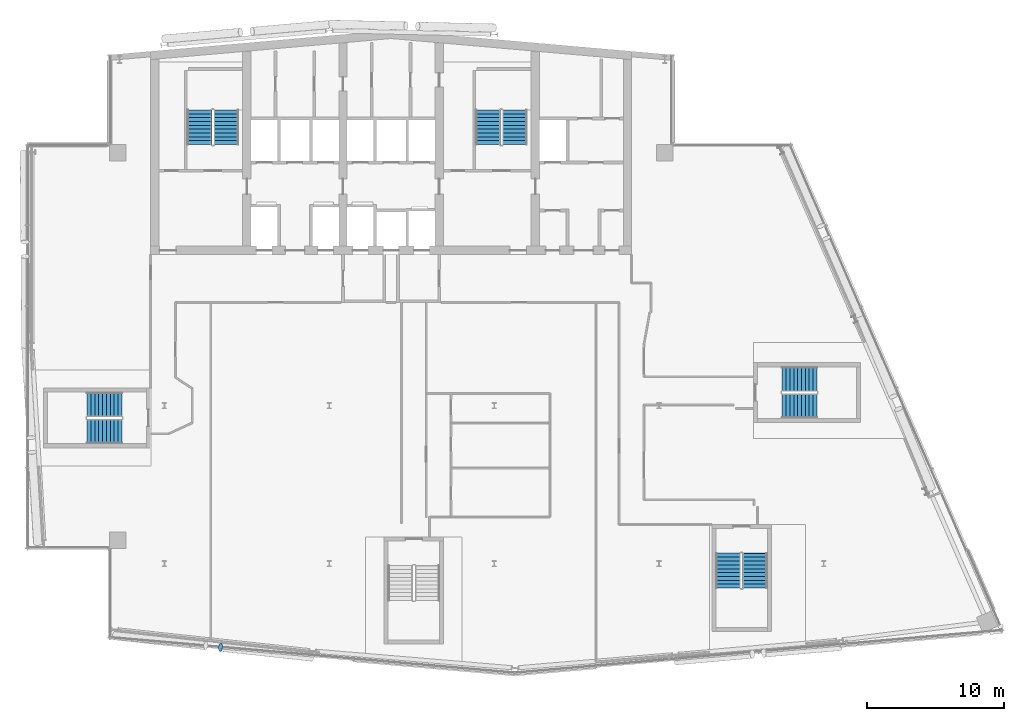
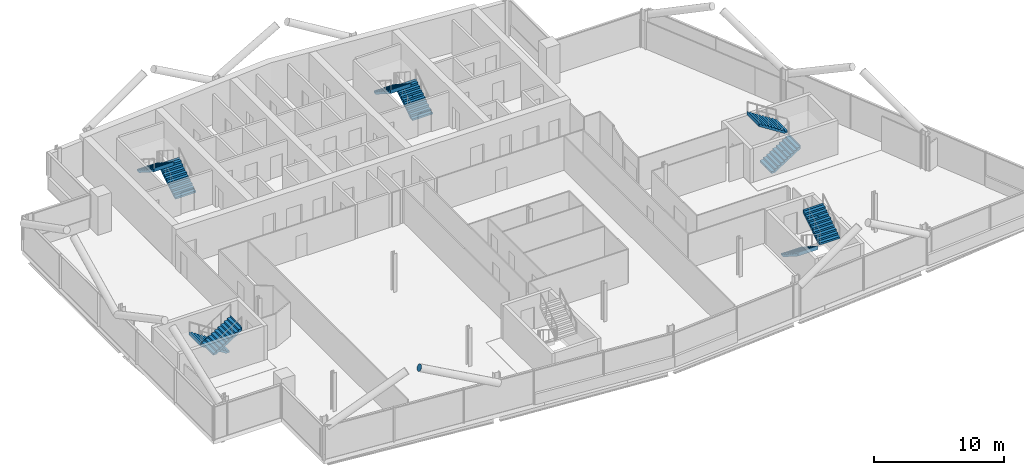
# One storey, part 19 of 25: 10 stair flights, 1 discrete accessory, 5 elements without a shape of their own.
"""IFC4 building model written with IfcOpenShell, lengths in metres."""

from ifc_helpers import new_model, si_unit, direction, frame, origin, origin_2d, place, context, subcontext, project, spatial, polyline, circle, outline, extrude, material, material_profile, profile_set, type_object, element, aggregate, save


model = new_model("IFC4")

# Units and contexts
model_context = context("Model", 3, precision=1e-05, world=origin(), true_north=direction((0.0, 1.0)))
body_context = subcontext(model_context, "Body", "Model", "MODEL_VIEW")
ifc_project = project(units=[si_unit("LENGTHUNIT", "METRE"), si_unit("AREAUNIT", "SQUARE_METRE"), si_unit("VOLUMEUNIT", "CUBIC_METRE"), si_unit("PLANEANGLEUNIT", "RADIAN"), si_unit("MASSUNIT", "GRAM", prefix="KILO")], contexts=[model_context])

# Site, building, storey
site_placement = place(None, origin())
site = spatial("IfcSite", under=ifc_project, at=site_placement, CompositionType="ELEMENT")
building_placement = place(site_placement, origin())
building = spatial("IfcBuilding", under=site, at=building_placement, Name="Wharfspan Tower", CompositionType="ELEMENT")
storey_placement = place(building_placement, frame((0.0, 0.0, 239.5)))
storey = spatial("IfcBuildingStorey", under=building, at=storey_placement, Name="L60", CompositionType="ELEMENT", Elevation=239.5)

# Stair, stair flights
ifc_material_1 = material(Name="Concrete C40/50", Category="concrete")
stair_type = type_object("IfcStairType", Name="Half-turn stair 20 risers 180 mm", PredefinedType="HALF_TURN_STAIR", material=ifc_material_1)
stair_1_placement = place(storey_placement, origin())
stair_1 = element("IfcStair", 1, at=stair_1_placement, inside=storey, type_object=stair_type, Name="L60 stair ST1", PredefinedType="HALF_TURN_STAIR")
stair_flight_type = type_object("IfcStairFlightType", Name="Stair flight 20 risers 180 mm", PredefinedType="STRAIGHT", material=ifc_material_1)
stair_flight_1_placement = place(storey_placement, frame((28.5, 42.0, 0.0), z_axis=(0.0, 0.0, 1.0), x_axis=(0.0, 1.0, 0.0)))
stair_flight_1 = element("IfcStairFlight", 2, at=stair_flight_1_placement, type_object=stair_flight_type, Name="ST1 flight 1", NumberOfRisers=10, NumberOfTreads=9, PredefinedType="STRAIGHT", RiserHeight=0.18, TreadLength=0.28, context=body_context, shape_type="SweptSolid", body=[
    extrude(outline(polyline([(-0.011963, 0.0), (-0.011963, 0.179932), (0.0, 0.179932), (0.280029, 0.179932), (0.280029, 0.360107), (0.560059, 0.360107), (0.560059, 0.540039), (0.840088, 0.540039), (0.840088, 0.719971), (1.120117, 0.719971), (1.120117, 0.899902), (1.399902, 0.899902), (1.399902, 1.080078), (1.679932, 1.080078), (1.679932, 1.26001), (1.959961, 1.26001), (1.959961, 1.439941), (2.23999, 1.439941), (2.23999, 1.620117), (2.52002, 1.620117), (2.531982, 1.800049), (2.531982, 1.441895), (0.2771, 0.0), (-0.011963, 0.0)])), frame((0.0, 0.899902, 0.0), z_axis=(0.0, -1.0, 0.0), x_axis=(1.0, 0.0, 0.0)), (0.0, 0.0, 1.0), 0.899414),
    extrude(outline(polyline([(-0.011963, 0.0), (-0.011963, 0.179932), (0.0, 0.179932), (0.280029, 0.179932), (0.280029, 0.360107), (0.560059, 0.360107), (0.560059, 0.540039), (0.840088, 0.540039), (0.840088, 0.719971), (1.120117, 0.719971), (1.120117, 0.899902), (1.399902, 0.899902), (1.399902, 1.080078), (1.679932, 1.080078), (1.679932, 1.26001), (1.959961, 1.26001), (1.959961, 1.439941), (2.23999, 1.439941), (2.23999, 1.620117), (2.52002, 1.620117), (2.531982, 1.800049), (2.531982, 1.441895), (0.2771, 0.0), (-0.011963, 0.0)])), frame((0.0, -0.000488, 0.0), z_axis=(0.0, -1.0, 0.0), x_axis=(1.0, 0.0, 0.0)), (0.0, 0.0, 1.0), 0.899414),
])
stair_flight_2_placement = place(storey_placement, frame((26.550049, 44.52002, 1.800049), z_axis=(0.0, 0.0, 1.0), x_axis=(0.0, -1.0, 0.0)))
stair_flight_2 = element("IfcStairFlight", 3, at=stair_flight_2_placement, type_object=stair_flight_type, Name="ST1 flight 2", NumberOfRisers=10, NumberOfTreads=9, PredefinedType="STRAIGHT", RiserHeight=0.18, TreadLength=0.28, context=body_context, shape_type="SweptSolid", body=[
    extrude(outline(polyline([(-0.011963, 0.0), (-0.011963, 0.179932), (0.0, 0.179932), (0.280029, 0.179932), (0.280029, 0.360107), (0.560059, 0.360107), (0.560059, 0.540039), (0.840088, 0.540039), (0.840088, 0.719971), (1.120117, 0.719971), (1.120117, 0.899902), (1.399902, 0.899902), (1.399902, 1.080078), (1.679932, 1.080078), (1.679932, 1.26001), (1.959961, 1.26001), (1.959961, 1.439941), (2.23999, 1.439941), (2.23999, 1.620117), (2.52002, 1.620117), (2.531982, 1.800049), (2.531982, 1.441895), (0.2771, 0.0), (-0.011963, 0.0)])), frame((0.0, 0.899902, 0.0), z_axis=(0.0, -1.0, 0.0), x_axis=(1.0, 0.0, 0.0)), (0.0, 0.0, 1.0), 0.899414),
    extrude(outline(polyline([(-0.011963, 0.0), (-0.011963, 0.179932), (0.0, 0.179932), (0.280029, 0.179932), (0.280029, 0.360107), (0.560059, 0.360107), (0.560059, 0.540039), (0.840088, 0.540039), (0.840088, 0.719971), (1.120117, 0.719971), (1.120117, 0.899902), (1.399902, 0.899902), (1.399902, 1.080078), (1.679932, 1.080078), (1.679932, 1.26001), (1.959961, 1.26001), (1.959961, 1.439941), (2.23999, 1.439941), (2.23999, 1.620117), (2.52002, 1.620117), (2.531982, 1.800049), (2.531982, 1.441895), (0.2771, 0.0), (-0.011963, 0.0)])), frame((0.0, -0.000488, 0.0), z_axis=(0.0, -1.0, 0.0), x_axis=(1.0, 0.0, 0.0)), (0.0, 0.0, 1.0), 0.899414),
])
aggregate(stair_1, [stair_flight_1, stair_flight_2])

stair_2_placement = place(storey_placement, origin())
stair_2 = element("IfcStair", 4, at=stair_2_placement, inside=storey, type_object=stair_type, Name="L60 stair ST2", PredefinedType="HALF_TURN_STAIR")
stair_flight_3_placement = place(storey_placement, frame((49.5, 42.0, 0.0), z_axis=(0.0, 0.0, 1.0), x_axis=(0.0, 1.0, 0.0)))
stair_flight_3 = element("IfcStairFlight", 5, at=stair_flight_3_placement, type_object=stair_flight_type, Name="ST2 flight 1", NumberOfRisers=10, NumberOfTreads=9, PredefinedType="STRAIGHT", RiserHeight=0.18, TreadLength=0.28, context=body_context, shape_type="SweptSolid", body=[
    extrude(outline(polyline([(-0.011963, 0.0), (-0.011963, 0.179932), (0.0, 0.179932), (0.280029, 0.179932), (0.280029, 0.360107), (0.560059, 0.360107), (0.560059, 0.540039), (0.840088, 0.540039), (0.840088, 0.719971), (1.120117, 0.719971), (1.120117, 0.899902), (1.399902, 0.899902), (1.399902, 1.080078), (1.679932, 1.080078), (1.679932, 1.26001), (1.959961, 1.26001), (1.959961, 1.439941), (2.23999, 1.439941), (2.23999, 1.620117), (2.52002, 1.620117), (2.531982, 1.800049), (2.531982, 1.441895), (0.2771, 0.0), (-0.011963, 0.0)])), frame((0.0, 0.899902, 0.0), z_axis=(0.0, -1.0, 0.0), x_axis=(1.0, 0.0, 0.0)), (0.0, 0.0, 1.0), 0.899414),
    extrude(outline(polyline([(-0.011963, 0.0), (-0.011963, 0.179932), (0.0, 0.179932), (0.280029, 0.179932), (0.280029, 0.360107), (0.560059, 0.360107), (0.560059, 0.540039), (0.840088, 0.540039), (0.840088, 0.719971), (1.120117, 0.719971), (1.120117, 0.899902), (1.399902, 0.899902), (1.399902, 1.080078), (1.679932, 1.080078), (1.679932, 1.26001), (1.959961, 1.26001), (1.959961, 1.439941), (2.23999, 1.439941), (2.23999, 1.620117), (2.52002, 1.620117), (2.531982, 1.800049), (2.531982, 1.441895), (0.2771, 0.0), (-0.011963, 0.0)])), frame((0.0, -0.000488, 0.0), z_axis=(0.0, -1.0, 0.0), x_axis=(1.0, 0.0, 0.0)), (0.0, 0.0, 1.0), 0.899414),
])
stair_flight_4_placement = place(storey_placement, frame((47.550049, 44.52002, 1.800049), z_axis=(0.0, 0.0, 1.0), x_axis=(0.0, -1.0, 0.0)))
stair_flight_4 = element("IfcStairFlight", 6, at=stair_flight_4_placement, type_object=stair_flight_type, Name="ST2 flight 2", NumberOfRisers=10, NumberOfTreads=9, PredefinedType="STRAIGHT", RiserHeight=0.18, TreadLength=0.28, context=body_context, shape_type="SweptSolid", body=[
    extrude(outline(polyline([(-0.011963, 0.0), (-0.011963, 0.179932), (0.0, 0.179932), (0.280029, 0.179932), (0.280029, 0.360107), (0.560059, 0.360107), (0.560059, 0.540039), (0.840088, 0.540039), (0.840088, 0.719971), (1.120117, 0.719971), (1.120117, 0.899902), (1.399902, 0.899902), (1.399902, 1.080078), (1.679932, 1.080078), (1.679932, 1.26001), (1.959961, 1.26001), (1.959961, 1.439941), (2.23999, 1.439941), (2.23999, 1.620117), (2.52002, 1.620117), (2.531982, 1.800049), (2.531982, 1.441895), (0.2771, 0.0), (-0.011963, 0.0)])), frame((0.0, 0.899902, 0.0), z_axis=(0.0, -1.0, 0.0), x_axis=(1.0, 0.0, 0.0)), (0.0, 0.0, 1.0), 0.899414),
    extrude(outline(polyline([(-0.011963, 0.0), (-0.011963, 0.179932), (0.0, 0.179932), (0.280029, 0.179932), (0.280029, 0.360107), (0.560059, 0.360107), (0.560059, 0.540039), (0.840088, 0.540039), (0.840088, 0.719971), (1.120117, 0.719971), (1.120117, 0.899902), (1.399902, 0.899902), (1.399902, 1.080078), (1.679932, 1.080078), (1.679932, 1.26001), (1.959961, 1.26001), (1.959961, 1.439941), (2.23999, 1.439941), (2.23999, 1.620117), (2.52002, 1.620117), (2.531982, 1.800049), (2.531982, 1.441895), (0.2771, 0.0), (-0.011963, 0.0)])), frame((0.0, -0.000488, 0.0), z_axis=(0.0, -1.0, 0.0), x_axis=(1.0, 0.0, 0.0)), (0.0, 0.0, 1.0), 0.899414),
])
aggregate(stair_2, [stair_flight_3, stair_flight_4])

stair_3_placement = place(storey_placement, origin())
stair_3 = element("IfcStair", 7, at=stair_3_placement, inside=storey, type_object=stair_type, Name="L60 stair ST3", PredefinedType="HALF_TURN_STAIR")
stair_flight_5_placement = place(storey_placement, frame((20.899902, 23.074951, 0.0), z_axis=(0.0, 0.0, 1.0), x_axis=(-1.0, 0.0, 0.0)))
stair_flight_5 = element("IfcStairFlight", 8, at=stair_flight_5_placement, type_object=stair_flight_type, Name="ST3 flight 1", NumberOfRisers=10, NumberOfTreads=9, PredefinedType="STRAIGHT", RiserHeight=0.18, TreadLength=0.28, context=body_context, shape_type="SweptSolid", body=[
    extrude(outline(polyline([(-0.011963, 0.0), (-0.011963, 0.179932), (0.0, 0.179932), (0.280029, 0.179932), (0.280029, 0.360107), (0.560059, 0.360107), (0.560059, 0.540039), (0.840088, 0.540039), (0.840088, 0.719971), (1.120117, 0.719971), (1.120117, 0.899902), (1.399902, 0.899902), (1.399902, 1.080078), (1.679932, 1.080078), (1.679932, 1.26001), (1.959961, 1.26001), (1.959961, 1.439941), (2.23999, 1.439941), (2.23999, 1.620117), (2.52002, 1.620117), (2.531982, 1.800049), (2.531982, 1.441895), (0.2771, 0.0), (-0.011963, 0.0)])), frame((0.0, 0.899902, 0.0), z_axis=(0.0, -1.0, 0.0), x_axis=(1.0, 0.0, 0.0)), (0.0, 0.0, 1.0), 0.899414),
    extrude(outline(polyline([(-0.011963, 0.0), (-0.011963, 0.179932), (0.0, 0.179932), (0.280029, 0.179932), (0.280029, 0.360107), (0.560059, 0.360107), (0.560059, 0.540039), (0.840088, 0.540039), (0.840088, 0.719971), (1.120117, 0.719971), (1.120117, 0.899902), (1.399902, 0.899902), (1.399902, 1.080078), (1.679932, 1.080078), (1.679932, 1.26001), (1.959961, 1.26001), (1.959961, 1.439941), (2.23999, 1.439941), (2.23999, 1.620117), (2.52002, 1.620117), (2.531982, 1.800049), (2.531982, 1.441895), (0.2771, 0.0), (-0.011963, 0.0)])), frame((0.0, -0.000488, 0.0), z_axis=(0.0, -1.0, 0.0), x_axis=(1.0, 0.0, 0.0)), (0.0, 0.0, 1.0), 0.899414),
])
stair_flight_6_placement = place(storey_placement, frame((18.379883, 21.125, 1.800049), z_axis=(0.0, 0.0, 1.0), x_axis=(1.0, 0.0, 0.0)))
stair_flight_6 = element("IfcStairFlight", 9, at=stair_flight_6_placement, type_object=stair_flight_type, Name="ST3 flight 2", NumberOfRisers=10, NumberOfTreads=9, PredefinedType="STRAIGHT", RiserHeight=0.18, TreadLength=0.28, context=body_context, shape_type="SweptSolid", body=[
    extrude(outline(polyline([(-0.011963, 0.0), (-0.011963, 0.179932), (0.0, 0.179932), (0.280029, 0.179932), (0.280029, 0.360107), (0.560059, 0.360107), (0.560059, 0.540039), (0.840088, 0.540039), (0.840088, 0.719971), (1.120117, 0.719971), (1.120117, 0.899902), (1.399902, 0.899902), (1.399902, 1.080078), (1.679932, 1.080078), (1.679932, 1.26001), (1.959961, 1.26001), (1.959961, 1.439941), (2.23999, 1.439941), (2.23999, 1.620117), (2.52002, 1.620117), (2.531982, 1.800049), (2.531982, 1.441895), (0.2771, 0.0), (-0.011963, 0.0)])), frame((0.0, 0.899902, 0.0), z_axis=(0.0, -1.0, 0.0), x_axis=(1.0, 0.0, 0.0)), (0.0, 0.0, 1.0), 0.899414),
    extrude(outline(polyline([(-0.011963, 0.0), (-0.011963, 0.179932), (0.0, 0.179932), (0.280029, 0.179932), (0.280029, 0.360107), (0.560059, 0.360107), (0.560059, 0.540039), (0.840088, 0.540039), (0.840088, 0.719971), (1.120117, 0.719971), (1.120117, 0.899902), (1.399902, 0.899902), (1.399902, 1.080078), (1.679932, 1.080078), (1.679932, 1.26001), (1.959961, 1.26001), (1.959961, 1.439941), (2.23999, 1.439941), (2.23999, 1.620117), (2.52002, 1.620117), (2.531982, 1.800049), (2.531982, 1.441895), (0.2771, 0.0), (-0.011963, 0.0)])), frame((0.0, -0.000488, 0.0), z_axis=(0.0, -1.0, 0.0), x_axis=(1.0, 0.0, 0.0)), (0.0, 0.0, 1.0), 0.899414),
])
aggregate(stair_3, [stair_flight_5, stair_flight_6])

stair_4_placement = place(storey_placement, origin())
stair_4 = element("IfcStair", 10, at=stair_4_placement, inside=storey, type_object=stair_type, Name="L60 stair ST5", PredefinedType="HALF_TURN_STAIR")
stair_flight_7_placement = place(storey_placement, frame((65.043701, 12.246094, 0.0), z_axis=(0.0, 0.0, 1.0), x_axis=(0.0, -1.0, 0.0)))
stair_flight_7 = element("IfcStairFlight", 11, at=stair_flight_7_placement, type_object=stair_flight_type, Name="ST5 flight 1", NumberOfRisers=10, NumberOfTreads=9, PredefinedType="STRAIGHT", RiserHeight=0.18, TreadLength=0.28, context=body_context, shape_type="SweptSolid", body=[
    extrude(outline(polyline([(-0.011963, 0.0), (-0.011963, 0.179932), (0.0, 0.179932), (0.280029, 0.179932), (0.280029, 0.360107), (0.560059, 0.360107), (0.560059, 0.540039), (0.840088, 0.540039), (0.840088, 0.719971), (1.120117, 0.719971), (1.120117, 0.899902), (1.399902, 0.899902), (1.399902, 1.080078), (1.679932, 1.080078), (1.679932, 1.26001), (1.959961, 1.26001), (1.959961, 1.439941), (2.23999, 1.439941), (2.23999, 1.620117), (2.52002, 1.620117), (2.531982, 1.800049), (2.531982, 1.441895), (0.2771, 0.0), (-0.011963, 0.0)])), frame((0.0, 0.899902, 0.0), z_axis=(0.0, -1.0, 0.0), x_axis=(1.0, 0.0, 0.0)), (0.0, 0.0, 1.0), 0.899414),
    extrude(outline(polyline([(-0.011963, 0.0), (-0.011963, 0.179932), (0.0, 0.179932), (0.280029, 0.179932), (0.280029, 0.360107), (0.560059, 0.360107), (0.560059, 0.540039), (0.840088, 0.540039), (0.840088, 0.719971), (1.120117, 0.719971), (1.120117, 0.899902), (1.399902, 0.899902), (1.399902, 1.080078), (1.679932, 1.080078), (1.679932, 1.26001), (1.959961, 1.26001), (1.959961, 1.439941), (2.23999, 1.439941), (2.23999, 1.620117), (2.52002, 1.620117), (2.531982, 1.800049), (2.531982, 1.441895), (0.2771, 0.0), (-0.011963, 0.0)])), frame((0.0, -0.000488, 0.0), z_axis=(0.0, -1.0, 0.0), x_axis=(1.0, 0.0, 0.0)), (0.0, 0.0, 1.0), 0.899414),
])
stair_flight_8_placement = place(storey_placement, frame((66.993896, 9.726074, 1.800049), z_axis=(0.0, 0.0, 1.0), x_axis=(0.0, 1.0, 0.0)))
stair_flight_8 = element("IfcStairFlight", 12, at=stair_flight_8_placement, type_object=stair_flight_type, Name="ST5 flight 2", NumberOfRisers=10, NumberOfTreads=9, PredefinedType="STRAIGHT", RiserHeight=0.18, TreadLength=0.28, context=body_context, shape_type="SweptSolid", body=[
    extrude(outline(polyline([(-0.011963, 0.0), (-0.011963, 0.179932), (0.0, 0.179932), (0.280029, 0.179932), (0.280029, 0.360107), (0.560059, 0.360107), (0.560059, 0.540039), (0.840088, 0.540039), (0.840088, 0.719971), (1.120117, 0.719971), (1.120117, 0.899902), (1.399902, 0.899902), (1.399902, 1.080078), (1.679932, 1.080078), (1.679932, 1.26001), (1.959961, 1.26001), (1.959961, 1.439941), (2.23999, 1.439941), (2.23999, 1.620117), (2.52002, 1.620117), (2.531982, 1.800049), (2.531982, 1.441895), (0.2771, 0.0), (-0.011963, 0.0)])), frame((0.0, 0.899902, 0.0), z_axis=(0.0, -1.0, 0.0), x_axis=(1.0, 0.0, 0.0)), (0.0, 0.0, 1.0), 0.899414),
    extrude(outline(polyline([(-0.011963, 0.0), (-0.011963, 0.179932), (0.0, 0.179932), (0.280029, 0.179932), (0.280029, 0.360107), (0.560059, 0.360107), (0.560059, 0.540039), (0.840088, 0.540039), (0.840088, 0.719971), (1.120117, 0.719971), (1.120117, 0.899902), (1.399902, 0.899902), (1.399902, 1.080078), (1.679932, 1.080078), (1.679932, 1.26001), (1.959961, 1.26001), (1.959961, 1.439941), (2.23999, 1.439941), (2.23999, 1.620117), (2.52002, 1.620117), (2.531982, 1.800049), (2.531982, 1.441895), (0.2771, 0.0), (-0.011963, 0.0)])), frame((0.0, -0.000488, 0.0), z_axis=(0.0, -1.0, 0.0), x_axis=(1.0, 0.0, 0.0)), (0.0, 0.0, 1.0), 0.899414),
])
aggregate(stair_4, [stair_flight_7, stair_flight_8])

stair_5_placement = place(storey_placement, origin())
stair_5 = element("IfcStair", 13, at=stair_5_placement, inside=storey, type_object=stair_type, Name="L60 stair ST6", PredefinedType="HALF_TURN_STAIR")
stair_flight_9_placement = place(storey_placement, frame((68.969482, 22.975098, 0.0), z_axis=(0.0, 0.0, 1.0), x_axis=(1.0, 0.0, 0.0)))
stair_flight_9 = element("IfcStairFlight", 14, at=stair_flight_9_placement, type_object=stair_flight_type, Name="ST6 flight 1", NumberOfRisers=10, NumberOfTreads=9, PredefinedType="STRAIGHT", RiserHeight=0.18, TreadLength=0.28, context=body_context, shape_type="SweptSolid", body=[
    extrude(outline(polyline([(-0.011963, 0.0), (-0.011963, 0.179932), (0.0, 0.179932), (0.280029, 0.179932), (0.280029, 0.360107), (0.560059, 0.360107), (0.560059, 0.540039), (0.840088, 0.540039), (0.840088, 0.719971), (1.120117, 0.719971), (1.120117, 0.899902), (1.399902, 0.899902), (1.399902, 1.080078), (1.679932, 1.080078), (1.679932, 1.26001), (1.959961, 1.26001), (1.959961, 1.439941), (2.23999, 1.439941), (2.23999, 1.620117), (2.52002, 1.620117), (2.531982, 1.800049), (2.531982, 1.441895), (0.2771, 0.0), (-0.011963, 0.0)])), frame((0.0, 0.899902, 0.0), z_axis=(0.0, -1.0, 0.0), x_axis=(1.0, 0.0, 0.0)), (0.0, 0.0, 1.0), 0.899414),
    extrude(outline(polyline([(-0.011963, 0.0), (-0.011963, 0.179932), (0.0, 0.179932), (0.280029, 0.179932), (0.280029, 0.360107), (0.560059, 0.360107), (0.560059, 0.540039), (0.840088, 0.540039), (0.840088, 0.719971), (1.120117, 0.719971), (1.120117, 0.899902), (1.399902, 0.899902), (1.399902, 1.080078), (1.679932, 1.080078), (1.679932, 1.26001), (1.959961, 1.26001), (1.959961, 1.439941), (2.23999, 1.439941), (2.23999, 1.620117), (2.52002, 1.620117), (2.531982, 1.800049), (2.531982, 1.441895), (0.2771, 0.0), (-0.011963, 0.0)])), frame((0.0, -0.000488, 0.0), z_axis=(0.0, -1.0, 0.0), x_axis=(1.0, 0.0, 0.0)), (0.0, 0.0, 1.0), 0.899414),
])
stair_flight_10_placement = place(storey_placement, frame((71.489502, 24.925049, 1.800049), z_axis=(0.0, 0.0, 1.0), x_axis=(-1.0, 0.0, 0.0)))
stair_flight_10 = element("IfcStairFlight", 15, at=stair_flight_10_placement, type_object=stair_flight_type, Name="ST6 flight 2", NumberOfRisers=10, NumberOfTreads=9, PredefinedType="STRAIGHT", RiserHeight=0.18, TreadLength=0.28, context=body_context, shape_type="SweptSolid", body=[
    extrude(outline(polyline([(-0.011963, 0.0), (-0.011963, 0.179932), (0.0, 0.179932), (0.280029, 0.179932), (0.280029, 0.360107), (0.560059, 0.360107), (0.560059, 0.540039), (0.840088, 0.540039), (0.840088, 0.719971), (1.120117, 0.719971), (1.120117, 0.899902), (1.399902, 0.899902), (1.399902, 1.080078), (1.679932, 1.080078), (1.679932, 1.26001), (1.959961, 1.26001), (1.959961, 1.439941), (2.23999, 1.439941), (2.23999, 1.620117), (2.52002, 1.620117), (2.531982, 1.800049), (2.531982, 1.441895), (0.2771, 0.0), (-0.011963, 0.0)])), frame((0.0, 0.899902, 0.0), z_axis=(0.0, -1.0, 0.0), x_axis=(1.0, 0.0, 0.0)), (0.0, 0.0, 1.0), 0.899414),
    extrude(outline(polyline([(-0.011963, 0.0), (-0.011963, 0.179932), (0.0, 0.179932), (0.280029, 0.179932), (0.280029, 0.360107), (0.560059, 0.360107), (0.560059, 0.540039), (0.840088, 0.540039), (0.840088, 0.719971), (1.120117, 0.719971), (1.120117, 0.899902), (1.399902, 0.899902), (1.399902, 1.080078), (1.679932, 1.080078), (1.679932, 1.26001), (1.959961, 1.26001), (1.959961, 1.439941), (2.23999, 1.439941), (2.23999, 1.620117), (2.52002, 1.620117), (2.531982, 1.800049), (2.531982, 1.441895), (0.2771, 0.0), (-0.011963, 0.0)])), frame((0.0, -0.000488, 0.0), z_axis=(0.0, -1.0, 0.0), x_axis=(1.0, 0.0, 0.0)), (0.0, 0.0, 1.0), 0.899414),
])
aggregate(stair_5, [stair_flight_9, stair_flight_10])

# Discrete accessory
ifc_material_2 = material(Name="Steel S460NH", Category="steel")
ifc_material_profile = material_profile(ifc_material_2, circle(Radius=0.304932, at=origin_2d()))
ifc_profile_set = profile_set([ifc_material_profile], Name="Steel S460NH")
discrete_accessory_type = type_object("IfcDiscreteAccessoryType", Name="End plate CHS 610x25", PredefinedType="BRACKET", material=ifc_profile_set)
discrete_accessory_placement = place(storey_placement, frame((28.088867, 5.410889, 6.229004), z_axis=(-0.890043, 0.098894, 0.445021), x_axis=(-0.110431, -0.99388, 1e-06)))
element("IfcDiscreteAccessory", 16, at=discrete_accessory_placement, inside=storey, type_object=discrete_accessory_type, Name="End plate CHS 610x25", PredefinedType="BRACKET", context=body_context, shape_type="SweptSolid", body=[
    extrude(circle(Radius=0.304932, at=origin_2d()), origin(), (0.0, 0.0, 1.0), 0.009766),
])

save(model, "model.ifc")
